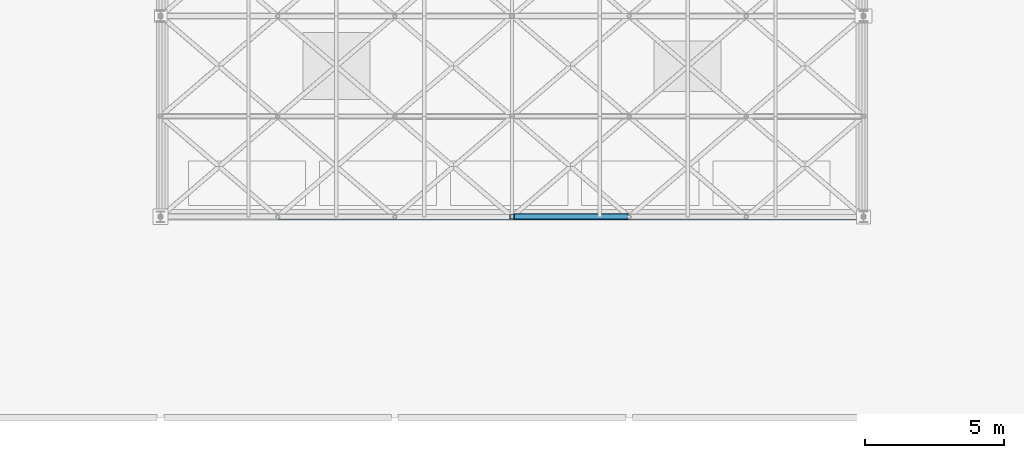
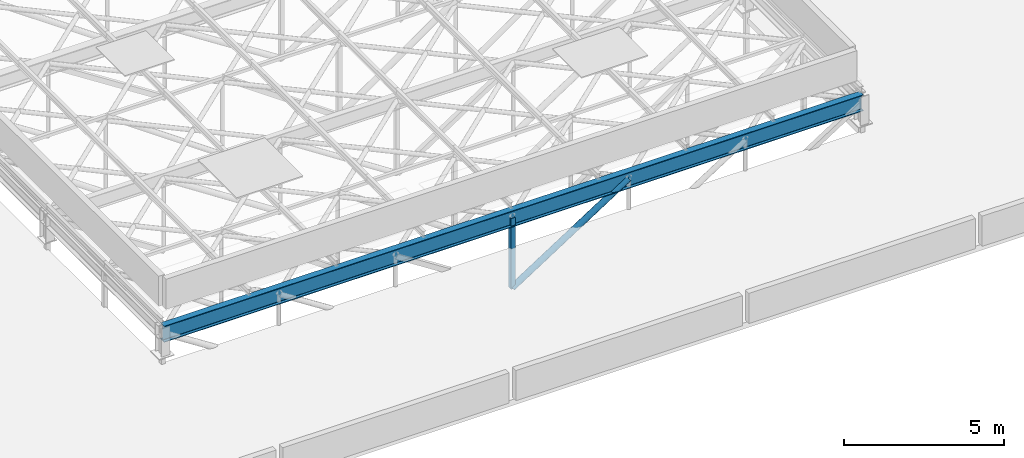
# One storey, part 5 of 45: 2 members, 1 beam.
"""IFC4 building model written with IfcOpenShell, lengths in metres."""

from ifc_helpers import new_model, si_unit, derived_unit, direction, frame, origin, origin_2d, place, context, subcontext, project, spatial, hollow_rectangle, hollow_circle, i_section, extrude, material, material_profile, profile_set, type_object, element, save


model = new_model("IFC4")

# Units and contexts
model_context = context("Model", 3, precision=1e-05, world=origin(), true_north=direction((0.0, 1.0)))
body_context = subcontext(model_context, "Body", "Model", "MODEL_VIEW")
ifc_project = project(units=[si_unit("LENGTHUNIT", "METRE"), si_unit("AREAUNIT", "SQUARE_METRE"), si_unit("VOLUMEUNIT", "CUBIC_METRE"), si_unit("PLANEANGLEUNIT", "RADIAN"), si_unit("MASSUNIT", "GRAM", prefix="KILO"), derived_unit("THERMALTRANSMITTANCEUNIT", [(si_unit("MASSUNIT", "GRAM", prefix="KILO"), 1), (si_unit("TIMEUNIT", "SECOND"), -3), (si_unit("THERMODYNAMICTEMPERATUREUNIT", "KELVIN"), -1)])], contexts=[model_context])

# Site, building, storey
site_placement = place(None, origin())
site = spatial("IfcSite", under=ifc_project, at=site_placement, CompositionType="ELEMENT")
building_placement = place(site_placement, origin())
building = spatial("IfcBuilding", under=site, at=building_placement, Name="Veldstrom Oceanarium and Marine Research Institute", CompositionType="ELEMENT")
storey_placement = place(building_placement, frame((0.0, 0.0, 22.199951171875)))
storey = spatial("IfcBuildingStorey", under=building, at=storey_placement, Name="L04", CompositionType="ELEMENT", Elevation=22.199951171875)

# Beam
ifc_material_1 = material(Name="Steel S355JR", Category="steel")
ifc_material_profile_1 = material_profile(ifc_material_1, i_section(OverallWidth=0.230224609375, OverallDepth=0.6171875, WebThickness=0.01318359375, FlangeThickness=0.022216796875, FilletRadius=0.0126953125, at=origin_2d()), Name="UB 610x229x140")
ifc_profile_set_1 = profile_set([ifc_material_profile_1], Name="Steel S355JR")
beam_type = type_object("IfcBeamType", Name="STR-BM-SB1", PredefinedType="BEAM", material=ifc_profile_set_1)
beam_placement = place(storey_placement, frame((16.800048828125, 14.39990234375, 0.801513671875), z_axis=(1.0, 0.0, 0.0), x_axis=(0.0, 1.0, 0.0)))
element("IfcBeam", 1, at=beam_placement, inside=storey, type_object=beam_type, Name="Aquarium Roof Truss Top-Chord Girder RT01", PredefinedType="BEAM", context=body_context, shape_type="SweptSolid", body=[
    extrude(i_section(OverallWidth=0.230224609375, OverallDepth=0.6171875, WebThickness=0.01318359375, FlangeThickness=0.022216796875, FilletRadius=0.0126953125, at=origin_2d()), origin(), (0.0, 0.0, 1.0), 25.199951171875),
])

# Members
ifc_material_2 = material(Name="Steel S355JR", Category="steel")
ifc_material_profile_2 = material_profile(ifc_material_2, hollow_circle(Radius=0.109619140625, WallThickness=0.012451171875, at=origin_2d()), Name="CHS 219.1x12.5")
ifc_profile_set_2 = profile_set([ifc_material_profile_2], Name="Steel S355JR")
member_type_1 = type_object("IfcMemberType", Name="STR-MEM-BR1", PredefinedType="BRACE", material=ifc_profile_set_2)
member_1_placement = place(storey_placement, frame((29.39990234375, 14.39990234375, -1.89990234375), z_axis=(0.841060913667, 0.0, 0.540940421398), x_axis=(0.0, 1.0, 0.0)))
element("IfcMember", 2, at=member_1_placement, inside=storey, type_object=member_type_1, Name="Truss Web Diagonal RT01-4", PredefinedType="BRACE", context=body_context, shape_type="SweptSolid", body=[
    extrude(hollow_circle(Radius=0.109619140625, WallThickness=0.012451171875, at=origin_2d()), origin(), (0.0, 0.0, 1.0), 4.993896484375),
])
ifc_material_3 = material(Name="Steel S355JR", Category="steel")
ifc_material_profile_3 = material_profile(ifc_material_3, hollow_rectangle(XDim=0.14990234375, YDim=0.14990234375, WallThickness=0.010009765625, at=origin_2d()), Name="SHS 150x150x10")
ifc_profile_set_3 = profile_set([ifc_material_profile_3], Name="Steel S355JR")
member_type_2 = type_object("IfcMemberType", Name="STR-MEM-PS1", PredefinedType="POST", material=ifc_profile_set_3)
member_2_placement = place(storey_placement, frame((29.39990234375, 14.39990234375, -1.89990234375), z_axis=(0.0, 0.0, 1.0), x_axis=(1.0, 0.0, 0.0)))
element("IfcMember", 3, at=member_2_placement, inside=storey, type_object=member_type_2, Name="Truss Vertical Post RT01-4", PredefinedType="POST", context=body_context, shape_type="SweptSolid", body=[
    extrude(hollow_rectangle(XDim=0.14990234375, YDim=0.14990234375, WallThickness=0.010009765625, at=origin_2d()), origin(), (0.0, 0.0, 1.0), 2.701416015625),
])

save(model, "model.ifc")
